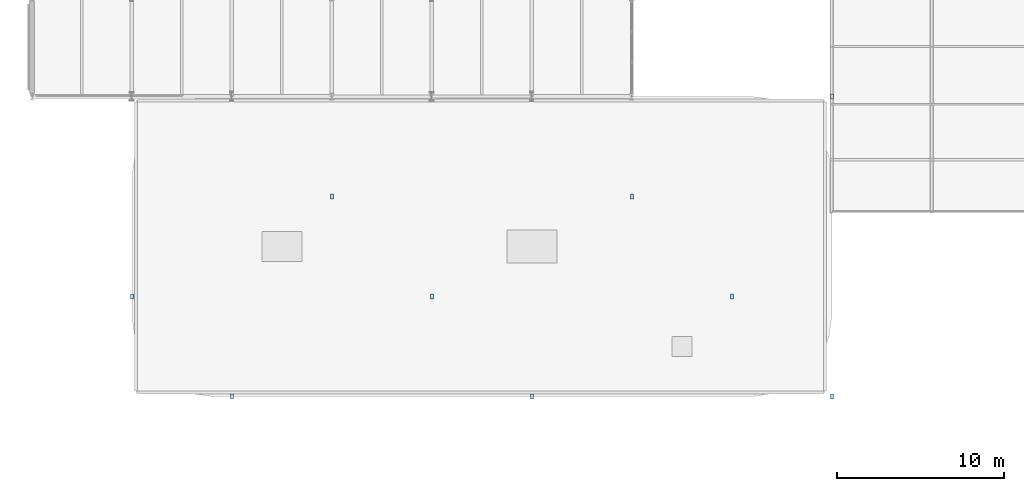
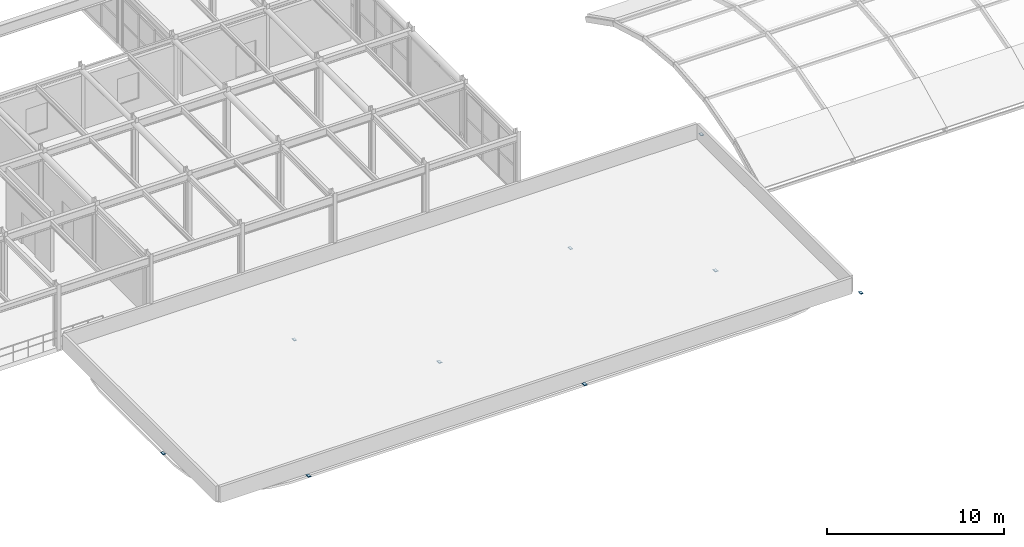
# One storey, part 52 of 84: 9 plates.
"""IFC4 building model written with IfcOpenShell, lengths in metres."""

from ifc_helpers import new_model, si_unit, direction, frame, origin, origin_2d, place, context, subcontext, project, spatial, rectangle, extrude, material, layer, layer_set, type_object, element, save


model = new_model("IFC4")

# Units and contexts
model_context = context("Model", 3, precision=1e-05, world=origin(), true_north=direction((0.0, 1.0)))
body_context = subcontext(model_context, "Body", "Model", "MODEL_VIEW")
ifc_project = project(units=[si_unit("LENGTHUNIT", "METRE"), si_unit("AREAUNIT", "SQUARE_METRE"), si_unit("VOLUMEUNIT", "CUBIC_METRE"), si_unit("PLANEANGLEUNIT", "RADIAN"), si_unit("MASSUNIT", "GRAM", prefix="KILO")], contexts=[model_context])

# Site, building, storey
site_placement = place(None, origin())
site = spatial("IfcSite", under=ifc_project, at=site_placement, CompositionType="ELEMENT")
building_placement = place(site_placement, origin())
building = spatial("IfcBuilding", under=site, at=building_placement, Name="Varnakota Square Police Headquarters", CompositionType="ELEMENT")
storey_placement = place(building_placement, frame((0.0, 0.0, 13.5)))
storey = spatial("IfcBuildingStorey", under=building, at=storey_placement, Name="L03", CompositionType="ELEMENT", Elevation=13.5)

# Plates
ifc_material = material(Name="Steel IS 2062 Grade 350", Category="steel")
ifc_layer = layer(ifc_material, 0.01611328125, Name="Steel IS 2062 Grade 350")
ifc_layer_set = layer_set([ifc_layer], Name="Steel IS 2062 Grade 350")
plate_type = type_object("IfcPlateType", Name="PL-CAP-16", PredefinedType="SHEET", material=ifc_layer_set)
for number, where, z_axis, x_axis, name in (
    (1, (12.0, 9.0, -0.001953125), (0.0, 0.0, 1.0), (1.0, 0.0, 0.0), "Hollow column top cap plate CP-COL-X0120-Y0090"),
    (2, (18.0, 3.0, -0.001953125), (0.0, 0.0, 1.0), (1.0, 0.0, 0.0), "Hollow column top cap plate CP-COL-X0180-Y0030"),
    (3, (24.0, 15.0, -0.001953125), (0.0, 0.0, 1.0), (1.0, 0.0, 0.0), "Hollow column top cap plate CP-COL-X0240-Y0150"),
    (4, (30.0, 9.0, -0.001953125), (0.0, 0.0, 1.0), (1.0, 0.0, 0.0), "Hollow column top cap plate CP-COL-X0300-Y0090"),
    (5, (36.0, 3.0, -0.001953125), (0.0, 0.0, 1.0), (1.0, 0.0, 0.0), "Hollow column top cap plate CP-COL-X0360-Y0030"),
    (6, (42.0, 15.0, -0.001953125), (0.0, 0.0, 1.0), (1.0, 0.0, 0.0), "Hollow column top cap plate CP-COL-X0420-Y0150"),
    (7, (48.0, 9.0, -0.001953125), (0.0, 0.0, 1.0), (1.0, 0.0, 0.0), "Hollow column top cap plate CP-COL-X0480-Y0090"),
    (8, (54.0, 3.0, -0.001953125), (0.0, 0.0, 1.0), (1.0, 0.0, 0.0), "Hollow column top cap plate CP-COL-X0540-Y0030"),
    (9, (54.0, 21.0, -0.001953125), (0.0, 0.0, 1.0), (1.0, 0.0, 0.0), "Hollow column top cap plate CP-COL-X0540-Y0210"),
):
    element("IfcPlate", number, at=place(storey_placement, frame(where, z_axis=z_axis, x_axis=x_axis)), inside=storey, type_object=plate_type, Name=name, PredefinedType="SHEET", context=body_context, shape_type="SweptSolid", body=[
        extrude(rectangle(XDim=0.179931640625, YDim=0.280029296875, at=origin_2d()), origin(), (0.0, 0.0, 1.0), 0.01611328125),
    ])

save(model, "model.ifc")
